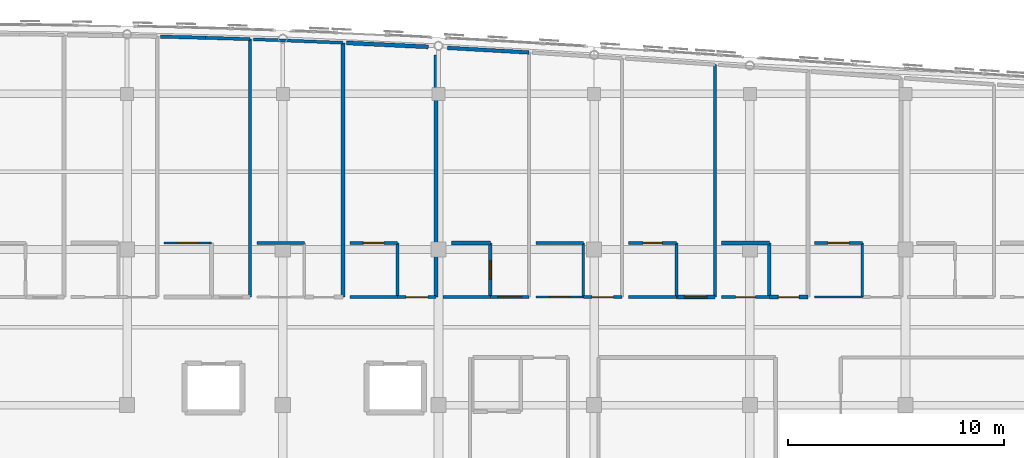
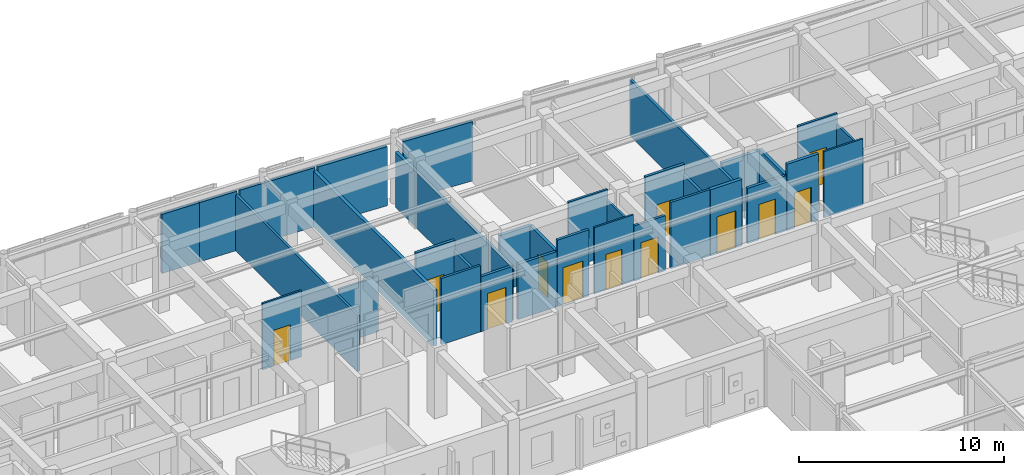
# One storey, part 96 of 113: 34 walls, 12 doors, 12 openings.
"""IFC4 building model written with IfcOpenShell, lengths in metres."""

from ifc_helpers import new_model, si_unit, direction, frame, frame_2d, origin, place, context, subcontext, project, spatial, rectangle, extrude, material, layer, layer_set, type_object, element, fill, save


model = new_model("IFC4")

# Units and contexts
model_context = context("Model", 3, precision=1e-05, world=origin(), true_north=direction((0.0, 1.0)))
body_context = subcontext(model_context, "Body", "Model", "MODEL_VIEW")
ifc_project = project(units=[si_unit("LENGTHUNIT", "METRE"), si_unit("AREAUNIT", "SQUARE_METRE"), si_unit("VOLUMEUNIT", "CUBIC_METRE"), si_unit("PLANEANGLEUNIT", "RADIAN"), si_unit("MASSUNIT", "GRAM", prefix="KILO")], contexts=[model_context])

# Site, building, storey
site_placement = place(None, origin())
site = spatial("IfcSite", under=ifc_project, at=site_placement, CompositionType="ELEMENT")
building_placement = place(site_placement, origin())
building = spatial("IfcBuilding", under=site, at=building_placement, Name="Carrowvane Square Congress Hotel", CompositionType="ELEMENT")
storey_placement = place(building_placement, frame((0.0, 0.0, 15.0)))
storey = spatial("IfcBuildingStorey", under=building, at=storey_placement, Name="L03", CompositionType="ELEMENT", Elevation=15.0)

# Wall
ifc_material_1 = material(Name="Acoustic gypsum board", Category="gypsum")
ifc_layer_1 = layer(ifc_material_1, 0.155029296875)
ifc_layer_set_1 = layer_set([ifc_layer_1], Name="Acoustic gypsum board")
wall_type_1 = type_object("IfcWallType", Name="WL-FIR-155", PredefinedType="PARTITIONING", material=ifc_layer_set_1)
wall_1_placement = place(storey_placement, frame((106.75, 116.044921875, 0.0), z_axis=(0.0, 0.0, 1.0), x_axis=(0.999657418847, -0.026173363249, 0.0)))
element("IfcWall", 1, at=wall_1_placement, inside=storey, type_object=wall_type_1, Name="L03 Parkview Guest Bedroom 0314 partition", PredefinedType="PARTITIONING", context=body_context, shape_type="SweptSolid", body=[
    extrude(rectangle(XDim=2.07080078125, YDim=0.155029296875, at=frame_2d((1.035400390625, 0.0))), origin(), (0.0, 0.0, 1.0), 3.515625),
])

# Wall, opening, door
wall_2_placement = place(storey_placement, frame((119.489990234375, 104.0, 0.0), z_axis=(0.0, 0.0, 1.0), x_axis=(-1.0, 0.0, 0.0)))
wall_2 = element("IfcWall", 2, at=wall_2_placement, inside=storey, type_object=wall_type_1, Name="L03 Parkview Guest Bedroom 0316 partition", PredefinedType="PARTITIONING", context=body_context, shape_type="SweptSolid", body=[
    extrude(rectangle(XDim=1.780029296875, YDim=0.155029296875, at=frame_2d((0.89013671875, 0.0))), origin(), (0.0, 0.0, 1.0), 3.27490234375),
])
opening_1_placement = place(wall_2_placement, frame((0.3798828125, 0.0, 0.0)))
opening_1 = element("IfcOpeningElement", 3, at=opening_1_placement, cuts=wall_2, Name="Opening FD-08", PredefinedType="OPENING", context=body_context, shape_type="SweptSolid", body=[
    extrude(rectangle(XDim=1.02001953125, YDim=2.14990234375, at=frame_2d((0.510009765625, 1.074951171875))), frame((0.0, 0.08740234375, 0.0), z_axis=(0.0, -1.0, 0.0), x_axis=(1.0, 0.0, 0.0)), (0.0, 0.0, 1.0), 0.175048828125),
])
ifc_material_2 = material(Name="European oak timber", Category="wood")
door_type_1 = type_object("IfcDoorType", Name="DR-FD30-1020x2150", OperationType="NOTDEFINED", PredefinedType="DOOR", material=ifc_material_2)
door_1_placement = place(opening_1_placement, origin())
door_1 = element("IfcDoor", 4, at=door_1_placement, inside=storey, type_object=door_type_1, Name="L03 Parkview Guest Bedroom 0316 entrance door", OperationType="SINGLE_SWING_RIGHT", OverallHeight=2.14990234375, OverallWidth=1.02001953125, PredefinedType="DOOR", context=body_context, shape_type="SweptSolid", body=[
    extrude(rectangle(XDim=1.02001953125, YDim=2.14990234375, at=frame_2d((0.510009765625, 1.074951171875))), frame((0.0, 0.02490234375, 0.0), z_axis=(0.0, -1.0, 0.0), x_axis=(1.0, 0.0, 0.0)), (0.0, 0.0, 1.0), 0.050048828125),
])
fill(opening_1, door_1)

# Wall
wall_3_placement = place(storey_placement, frame((122.0, 104.0, 0.0), z_axis=(0.0, 0.0, 1.0), x_axis=(-1.0, 0.0, 0.0)))
element("IfcWall", 5, at=wall_3_placement, inside=storey, type_object=wall_type_1, Name="L03 En-suite Bathroom 0317 partition", PredefinedType="PARTITIONING", context=body_context, shape_type="SweptSolid", body=[
    extrude(rectangle(XDim=2.199951171875, YDim=0.155029296875, at=frame_2d((1.10009765625, 0.0))), origin(), (0.0, 0.0, 1.0), 3.27490234375),
])

# Wall, opening, door
wall_4_placement = place(storey_placement, frame((134.89990234375, 104.0, 0.0), z_axis=(0.0, 0.0, 1.0), x_axis=(-1.0, 0.0, 0.0)))
wall_4 = element("IfcWall", 6, at=wall_4_placement, inside=storey, type_object=wall_type_1, Name="L03 En-suite Bathroom 0320 partition", PredefinedType="PARTITIONING", context=body_context, shape_type="SweptSolid", body=[
    extrude(rectangle(XDim=2.199951171875, YDim=0.155029296875, at=frame_2d((1.10009765625, 0.0))), origin(), (0.0, 0.0, 1.0), 3.27490234375),
])
opening_2_placement = place(wall_4_placement, frame((0.639892578125, 0.0, 0.0)))
opening_2 = element("IfcOpeningElement", 7, at=opening_2_placement, cuts=wall_4, Name="Opening ID-03", PredefinedType="OPENING", context=body_context, shape_type="SweptSolid", body=[
    extrude(rectangle(XDim=0.919921875, YDim=2.10009765625, at=frame_2d((0.4599609375, 1.050048828125))), frame((0.0, 0.08740234375, 0.0), z_axis=(0.0, -1.0, 0.0), x_axis=(1.0, 0.0, 0.0)), (0.0, 0.0, 1.0), 0.175048828125),
])
ifc_material_3 = material(Name="European oak timber", Category="wood")
door_type_2 = type_object("IfcDoorType", Name="DR-INT-0920x2100", OperationType="NOTDEFINED", PredefinedType="DOOR", material=ifc_material_3)
door_2_placement = place(opening_2_placement, origin())
door_2 = element("IfcDoor", 8, at=door_2_placement, inside=storey, type_object=door_type_2, Name="L03 En-suite Bathroom 0320 door", OperationType="SINGLE_SWING_LEFT", OverallHeight=2.10009765625, OverallWidth=0.919921875, PredefinedType="DOOR", context=body_context, shape_type="SweptSolid", body=[
    extrude(rectangle(XDim=0.919921875, YDim=2.10009765625, at=frame_2d((0.4599609375, 1.050048828125))), frame((0.0, 0.02490234375, 0.0), z_axis=(0.0, -1.0, 0.0), x_axis=(1.0, 0.0, 0.0)), (0.0, 0.0, 1.0), 0.050048828125),
])
fill(opening_2, door_2)

# Wall
ifc_material_4 = material(Name="Acoustic gypsum board", Category="gypsum")
ifc_layer_2 = layer(ifc_material_4, 0.169921875)
ifc_layer_set_2 = layer_set([ifc_layer_2], Name="Acoustic gypsum board")
wall_type_2 = type_object("IfcWallType", Name="WL-FIR-170", PredefinedType="PARTITIONING", material=ifc_layer_set_2)
wall_5_placement = place(storey_placement, frame((119.489990234375, 115.193115234375, 0.0), z_axis=(0.0, 0.0, 1.0), x_axis=(0.0, -1.0, 0.0)))
element("IfcWall", 9, at=wall_5_placement, inside=storey, type_object=wall_type_2, Name="L03 Parkview Guest Bedroom 0316 partition", PredefinedType="PARTITIONING", context=body_context, shape_type="SweptSolid", body=[
    extrude(rectangle(XDim=11.193115234375, YDim=0.169921875, at=frame_2d((5.5966796875, 0.0))), origin(), (0.0, 0.0, 1.0), 3.27490234375),
])

# Wall, opening, door
wall_6_placement = place(storey_placement, frame((122.0, 106.5, 0.0), z_axis=(0.0, 0.0, 1.0), x_axis=(0.0, -1.0, 0.0)))
wall_6 = element("IfcWall", 10, at=wall_6_placement, inside=storey, type_object=wall_type_2, Name="L03 En-suite Bathroom 0317 partition", PredefinedType="PARTITIONING", context=body_context, shape_type="SweptSolid", body=[
    extrude(rectangle(XDim=2.5, YDim=0.169921875, at=frame_2d((1.25, 0.0))), origin(), (0.0, 0.0, 1.0), 3.324951171875),
])
opening_3_placement = place(wall_6_placement, frame((0.81494140625, 0.0, 0.0)))
opening_3 = element("IfcOpeningElement", 11, at=opening_3_placement, cuts=wall_6, Name="Opening ID-15", PredefinedType="OPENING", context=body_context, shape_type="SweptSolid", body=[
    extrude(rectangle(XDim=0.8701171875, YDim=2.070068359375, at=frame_2d((0.43505859375, 1.03515625))), frame((0.0, 0.094970703125, 0.0), z_axis=(0.0, -1.0, 0.0), x_axis=(1.0, 0.0, 0.0)), (0.0, 0.0, 1.0), 0.18994140625),
])
ifc_material_5 = material(Name="European oak timber", Category="wood")
door_type_3 = type_object("IfcDoorType", Name="DR-INT-0870x2070", OperationType="NOTDEFINED", PredefinedType="DOOR", material=ifc_material_5)
door_3_placement = place(opening_3_placement, origin())
door_3 = element("IfcDoor", 12, at=door_3_placement, inside=storey, type_object=door_type_3, Name="L03 En-suite Bathroom 0317 door", OperationType="SINGLE_SWING_LEFT", OverallHeight=2.070068359375, OverallWidth=0.8701171875, PredefinedType="DOOR", context=body_context, shape_type="SweptSolid", body=[
    extrude(rectangle(XDim=0.8701171875, YDim=2.070068359375, at=frame_2d((0.43505859375, 1.03515625))), frame((0.0, 0.02490234375, 0.0), z_axis=(0.0, -1.0, 0.0), x_axis=(1.0, 0.0, 0.0)), (0.0, 0.0, 1.0), 0.050048828125),
])
fill(opening_3, door_3)

# Walls
wall_7_placement = place(storey_placement, frame((120.009521484375, 115.5244140625, 0.0), z_axis=(0.0, 0.0, 1.0), x_axis=(0.998400060611, -0.056544840372, 0.0)))
element("IfcWall", 13, at=wall_7_placement, inside=storey, type_object=wall_type_2, Name="L03 Parkview Guest Bedroom 0317 partition", PredefinedType="PARTITIONING", context=body_context, shape_type="SweptSolid", body=[
    extrude(rectangle(XDim=3.78662109375, YDim=0.169921875, at=frame_2d((1.893310546875, 0.0))), origin(), (0.0, 0.0, 1.0), 3.515625),
])
wall_8_placement = place(storey_placement, frame((134.89990234375, 106.5, 0.0), z_axis=(0.0, 0.0, 1.0), x_axis=(0.0, -1.0, 0.0)))
element("IfcWall", 14, at=wall_8_placement, inside=storey, type_object=wall_type_2, Name="L03 En-suite Bathroom 0320 partition", PredefinedType="PARTITIONING", context=body_context, shape_type="SweptSolid", body=[
    extrude(rectangle(XDim=2.5, YDim=0.169921875, at=frame_2d((1.25, 0.0))), origin(), (0.0, 0.0, 1.0), 3.324951171875),
])

# Wall, opening, door
wall_9_placement = place(storey_placement, frame((136.68994140625, 104.0, 0.0), z_axis=(0.0, 0.0, 1.0), x_axis=(-1.0, 0.0, 0.0)))
wall_9 = element("IfcWall", 15, at=wall_9_placement, inside=storey, type_object=wall_type_2, Name="L03 Parkview Guest Bedroom 0320 partition", PredefinedType="PARTITIONING", context=body_context, shape_type="SweptSolid", body=[
    extrude(rectangle(XDim=1.780029296875, YDim=0.169921875, at=frame_2d((0.89013671875, 0.0))), origin(), (0.0, 0.0, 1.0), 3.93994140625),
])
opening_4_placement = place(wall_9_placement, frame((0.4150390625, 0.0, 0.0)))
opening_4 = element("IfcOpeningElement", 16, at=opening_4_placement, cuts=wall_9, Name="Opening FD-06", PredefinedType="OPENING", context=body_context, shape_type="SweptSolid", body=[
    extrude(rectangle(XDim=0.949951171875, YDim=2.10009765625, at=frame_2d((0.47509765625, 1.050048828125))), frame((0.0, 0.094970703125, 0.0), z_axis=(0.0, -1.0, 0.0), x_axis=(1.0, 0.0, 0.0)), (0.0, 0.0, 1.0), 0.18994140625),
])
ifc_material_6 = material(Name="European oak timber", Category="wood")
door_type_4 = type_object("IfcDoorType", Name="DR-FD30-0950x2100", OperationType="NOTDEFINED", PredefinedType="DOOR", material=ifc_material_6)
door_4_placement = place(opening_4_placement, origin())
door_4 = element("IfcDoor", 17, at=door_4_placement, inside=storey, type_object=door_type_4, Name="L03 Parkview Guest Bedroom 0320 entrance door", OperationType="SINGLE_SWING_RIGHT", OverallHeight=2.10009765625, OverallWidth=0.949951171875, PredefinedType="DOOR", context=body_context, shape_type="SweptSolid", body=[
    extrude(rectangle(XDim=0.949951171875, YDim=2.10009765625, at=frame_2d((0.47509765625, 1.050048828125))), frame((0.0, 0.02490234375, 0.0), z_axis=(0.0, -1.0, 0.0), x_axis=(1.0, 0.0, 0.0)), (0.0, 0.0, 1.0), 0.050048828125),
])
fill(opening_4, door_4)

# Walls
ifc_material_7 = material(Name="Acoustic gypsum board", Category="gypsum")
ifc_layer_3 = layer(ifc_material_7, 0.18505859375)
ifc_layer_set_3 = layer_set([ifc_layer_3], Name="Acoustic gypsum board")
wall_type_3 = type_object("IfcWallType", Name="WL-FIR-185", PredefinedType="PARTITIONING", material=ifc_layer_set_3)
wall_10_placement = place(storey_placement, frame((115.18994140625, 115.759765625, 0.0), z_axis=(0.0, 0.0, 1.0), x_axis=(0.0, -1.0, 0.0)))
element("IfcWall", 18, at=wall_10_placement, inside=storey, type_object=wall_type_3, Name="L03 Parkview Guest Bedroom 0315 partition", PredefinedType="PARTITIONING", context=body_context, shape_type="SweptSolid", body=[
    extrude(rectangle(XDim=11.759765625, YDim=0.18505859375, at=frame_2d((5.8798828125, 0.0))), origin(), (0.0, 0.0, 1.0), 3.324951171875),
])
wall_11_placement = place(storey_placement, frame((115.35009765625, 115.752685546875, 0.0), z_axis=(0.0, 0.0, 1.0), x_axis=(0.99884141987, -0.048122946217, 0.0)))
element("IfcWall", 19, at=wall_11_placement, inside=storey, type_object=wall_type_3, Name="L03 Parkview Guest Bedroom 0316 partition", PredefinedType="PARTITIONING", context=body_context, shape_type="SweptSolid", body=[
    extrude(rectangle(XDim=3.78466796875, YDim=0.18505859375, at=frame_2d((1.892333984375, 0.0))), origin(), (0.0, 0.0, 1.0), 3.515625),
])
wall_12_placement = place(storey_placement, frame((120.2099609375, 106.5, 0.0), z_axis=(0.0, 0.0, 1.0), x_axis=(1.0, 0.0, 0.0)))
element("IfcWall", 20, at=wall_12_placement, inside=storey, type_object=wall_type_3, Name="L03 En-suite Bathroom 0317 partition", PredefinedType="PARTITIONING", context=body_context, shape_type="SweptSolid", body=[
    extrude(rectangle(XDim=1.7900390625, YDim=0.18505859375, at=frame_2d((0.89501953125, 0.0))), origin(), (0.0, 0.0, 1.0), 3.324951171875),
])

# Wall, opening, door
wall_13_placement = place(storey_placement, frame((132.389892578125, 104.0, 0.0), z_axis=(0.0, 0.0, 1.0), x_axis=(-1.0, 0.0, 0.0)))
wall_13 = element("IfcWall", 21, at=wall_13_placement, inside=storey, type_object=wall_type_3, Name="L03 Parkview Guest Bedroom 0319 partition", PredefinedType="PARTITIONING", context=body_context, shape_type="SweptSolid", body=[
    extrude(rectangle(XDim=1.77978515625, YDim=0.18505859375, at=frame_2d((0.889892578125, 0.0))), origin(), (0.0, 0.0, 1.0), 3.93994140625),
])
opening_5_placement = place(wall_13_placement, frame((0.360107421875, 0.0, 0.0)))
opening_5 = element("IfcOpeningElement", 22, at=opening_5_placement, cuts=wall_13, Name="Opening FD-09", PredefinedType="OPENING", context=body_context, shape_type="SweptSolid", body=[
    extrude(rectangle(XDim=1.06005859375, YDim=2.199951171875, at=frame_2d((0.530029296875, 1.10009765625))), frame((0.0, 0.1025390625, 0.0), z_axis=(0.0, -1.0, 0.0), x_axis=(1.0, 0.0, 0.0)), (0.0, 0.0, 1.0), 0.205078125),
])
ifc_material_8 = material(Name="European oak timber", Category="wood")
door_type_5 = type_object("IfcDoorType", Name="DR-FD30-1060x2200", OperationType="NOTDEFINED", PredefinedType="DOOR", material=ifc_material_8)
door_5_placement = place(opening_5_placement, origin())
door_5 = element("IfcDoor", 23, at=door_5_placement, inside=storey, type_object=door_type_5, Name="L03 Parkview Guest Bedroom 0319 entrance door", OperationType="SINGLE_SWING_RIGHT", OverallHeight=2.199951171875, OverallWidth=1.06005859375, PredefinedType="DOOR", context=body_context, shape_type="SweptSolid", body=[
    extrude(rectangle(XDim=1.06005859375, YDim=2.199951171875, at=frame_2d((0.530029296875, 1.10009765625))), frame((0.0, 0.02490234375, 0.0), z_axis=(0.0, -1.0, 0.0), x_axis=(1.0, 0.0, 0.0)), (0.0, 0.0, 1.0), 0.050048828125),
])
fill(opening_5, door_5)

# Wall
wall_14_placement = place(storey_placement, frame((132.699951171875, 106.5, 0.0), z_axis=(0.0, 0.0, 1.0), x_axis=(1.0, 0.0, 0.0)))
element("IfcWall", 24, at=wall_14_placement, inside=storey, type_object=wall_type_3, Name="L03 En-suite Bathroom 0320 partition", PredefinedType="PARTITIONING", context=body_context, shape_type="SweptSolid", body=[
    extrude(rectangle(XDim=2.199951171875, YDim=0.18505859375, at=frame_2d((1.10009765625, 0.0))), origin(), (0.0, 0.0, 1.0), 3.27490234375),
])

# Wall, opening, door
ifc_material_9 = material(Name="Acoustic gypsum board", Category="gypsum")
ifc_layer_4 = layer(ifc_material_9, 0.097900390625)
ifc_layer_set_4 = layer_set([ifc_layer_4], Name="Acoustic gypsum board")
wall_type_4 = type_object("IfcWallType", Name="WL-PRT-098", PredefinedType="PARTITIONING", material=ifc_layer_set_4)
wall_15_placement = place(storey_placement, frame((106.89990234375, 106.5, 0.0), z_axis=(0.0, 0.0, 1.0), x_axis=(1.0, 0.0, 0.0)))
wall_15 = element("IfcWall", 25, at=wall_15_placement, inside=storey, type_object=wall_type_4, Name="L03 En-suite Bathroom 0314 partition", PredefinedType="PARTITIONING", context=body_context, shape_type="SweptSolid", body=[
    extrude(rectangle(XDim=2.2001953125, YDim=0.097900390625, at=frame_2d((1.10009765625, 0.0))), origin(), (0.0, 0.0, 1.0), 3.93994140625),
])
opening_6_placement = place(wall_15_placement, frame((0.635009765625, 0.0, 0.0)))
opening_6 = element("IfcOpeningElement", 26, at=opening_6_placement, cuts=wall_15, Name="Opening ID-18", PredefinedType="OPENING", context=body_context, shape_type="SweptSolid", body=[
    extrude(rectangle(XDim=0.929931640625, YDim=2.1298828125, at=frame_2d((0.46484375, 1.06494140625))), frame((0.0, 0.058837890625, 0.0), z_axis=(0.0, -1.0, 0.0), x_axis=(1.0, 0.0, 0.0)), (0.0, 0.0, 1.0), 0.117919921875),
])
ifc_material_10 = material(Name="European oak timber", Category="wood")
door_type_6 = type_object("IfcDoorType", Name="DR-INT-0930x2130", OperationType="NOTDEFINED", PredefinedType="DOOR", material=ifc_material_10)
door_6_placement = place(opening_6_placement, origin())
door_6 = element("IfcDoor", 27, at=door_6_placement, inside=storey, type_object=door_type_6, Name="L03 En-suite Bathroom 0314 door", OperationType="SINGLE_SWING_LEFT", OverallHeight=2.1298828125, OverallWidth=0.929931640625, PredefinedType="DOOR", context=body_context, shape_type="SweptSolid", body=[
    extrude(rectangle(XDim=0.929931640625, YDim=2.1298828125, at=frame_2d((0.46484375, 1.06494140625))), frame((0.0, 0.02490234375, 0.0), z_axis=(0.0, -1.0, 0.0), x_axis=(1.0, 0.0, 0.0)), (0.0, 0.0, 1.0), 0.050048828125),
])
fill(opening_6, door_6)

wall_16_placement = place(storey_placement, frame((126.300048828125, 104.0, 0.0), z_axis=(0.0, 0.0, 1.0), x_axis=(-1.0, 0.0, 0.0)))
wall_16 = element("IfcWall", 28, at=wall_16_placement, inside=storey, type_object=wall_type_4, Name="L03 En-suite Bathroom 0318 partition", PredefinedType="PARTITIONING", context=body_context, shape_type="SweptSolid", body=[
    extrude(rectangle(XDim=2.199951171875, YDim=0.097900390625, at=frame_2d((1.10009765625, 0.0))), origin(), (0.0, 0.0, 1.0), 3.93994140625),
])
opening_7_placement = place(wall_16_placement, frame((0.64501953125, 0.0, 0.0)))
opening_7 = element("IfcOpeningElement", 29, at=opening_7_placement, cuts=wall_16, Name="Opening ID-17", PredefinedType="OPENING", context=body_context, shape_type="SweptSolid", body=[
    extrude(rectangle(XDim=0.909912109375, YDim=2.110107421875, at=frame_2d((0.455078125, 1.05517578125))), frame((0.0, 0.058837890625, 0.0), z_axis=(0.0, -1.0, 0.0), x_axis=(1.0, 0.0, 0.0)), (0.0, 0.0, 1.0), 0.117919921875),
])
ifc_material_11 = material(Name="European oak timber", Category="wood")
door_type_7 = type_object("IfcDoorType", Name="DR-INT-0910x2110", OperationType="NOTDEFINED", PredefinedType="DOOR", material=ifc_material_11)
door_7_placement = place(opening_7_placement, origin())
door_7 = element("IfcDoor", 30, at=door_7_placement, inside=storey, type_object=door_type_7, Name="L03 En-suite Bathroom 0318 door", OperationType="SINGLE_SWING_LEFT", OverallHeight=2.110107421875, OverallWidth=0.909912109375, PredefinedType="DOOR", context=body_context, shape_type="SweptSolid", body=[
    extrude(rectangle(XDim=0.909912109375, YDim=2.110107421875, at=frame_2d((0.455078125, 1.05517578125))), frame((0.0, 0.02490234375, 0.0), z_axis=(0.0, -1.0, 0.0), x_axis=(1.0, 0.0, 0.0)), (0.0, 0.0, 1.0), 0.050048828125),
])
fill(opening_7, door_7)

# Walls
wall_17_placement = place(storey_placement, frame((139.199951171875, 104.0, 0.0), z_axis=(0.0, 0.0, 1.0), x_axis=(-1.0, 0.0, 0.0)))
element("IfcWall", 31, at=wall_17_placement, inside=storey, type_object=wall_type_4, Name="L03 En-suite Bathroom 0321 partition", PredefinedType="PARTITIONING", context=body_context, shape_type="SweptSolid", body=[
    extrude(rectangle(XDim=2.199951171875, YDim=0.097900390625, at=frame_2d((1.10009765625, 0.0))), origin(), (0.0, 0.0, 1.0), 3.93994140625),
])
ifc_material_12 = material(Name="Acoustic gypsum board", Category="gypsum")
ifc_layer_5 = layer(ifc_material_12, 0.10791015625)
ifc_layer_set_5 = layer_set([ifc_layer_5], Name="Acoustic gypsum board")
wall_type_5 = type_object("IfcWallType", Name="WL-PRT-108", PredefinedType="PARTITIONING", material=ifc_layer_set_5)
for number, where, z_axis, x_axis, name in (
    (32, (126.300048828125, 106.5, 0.0), (0.0, 0.0, 1.0), (0.0, -1.0, 0.0), "L03 En-suite Bathroom 0318 partition"),
    (33, (139.199951171875, 106.5, 0.0), (0.0, 0.0, 1.0), (0.0, -1.0, 0.0), "L03 En-suite Bathroom 0321 partition"),
):
    element("IfcWall", number, at=place(storey_placement, frame(where, z_axis=z_axis, x_axis=x_axis)), inside=storey, type_object=wall_type_5, Name=name, PredefinedType="PARTITIONING", context=body_context, shape_type="SweptSolid", body=[
        extrude(rectangle(XDim=2.5, YDim=0.10791015625, at=frame_2d((1.25, 0.0))), origin(), (0.0, 0.0, 1.0), 3.324951171875),
    ])
ifc_material_13 = material(Name="Acoustic gypsum board", Category="gypsum")
ifc_layer_6 = layer(ifc_material_13, 0.117919921875)
ifc_layer_set_6 = layer_set([ifc_layer_6], Name="Acoustic gypsum board")
wall_type_6 = type_object("IfcWallType", Name="WL-PRT-118", PredefinedType="PARTITIONING", material=ifc_layer_set_6)
wall_18_placement = place(storey_placement, frame((111.199951171875, 106.5, 0.0), z_axis=(0.0, 0.0, 1.0), x_axis=(1.0, 0.0, 0.0)))
element("IfcWall", 34, at=wall_18_placement, inside=storey, type_object=wall_type_6, Name="L03 En-suite Bathroom 0315 partition", PredefinedType="PARTITIONING", context=body_context, shape_type="SweptSolid", body=[
    extrude(rectangle(XDim=2.199951171875, YDim=0.117919921875, at=frame_2d((1.10009765625, 0.0))), origin(), (0.0, 0.0, 1.0), 3.27490234375),
])
wall_19_placement = place(storey_placement, frame((124.10009765625, 106.5, 0.0), z_axis=(0.0, 0.0, 1.0), x_axis=(1.0, 0.0, 0.0)))
element("IfcWall", 35, at=wall_19_placement, inside=storey, type_object=wall_type_6, Name="L03 En-suite Bathroom 0318 partition", PredefinedType="PARTITIONING", context=body_context, shape_type="SweptSolid", body=[
    extrude(rectangle(XDim=2.199951171875, YDim=0.117919921875, at=frame_2d((1.10009765625, 0.0))), origin(), (0.0, 0.0, 1.0), 3.93994140625),
])

# Wall, opening, door
wall_20_placement = place(storey_placement, frame((137.0, 106.5, 0.0), z_axis=(0.0, 0.0, 1.0), x_axis=(1.0, 0.0, 0.0)))
wall_20 = element("IfcWall", 36, at=wall_20_placement, inside=storey, type_object=wall_type_6, Name="L03 En-suite Bathroom 0321 partition", PredefinedType="PARTITIONING", context=body_context, shape_type="SweptSolid", body=[
    extrude(rectangle(XDim=2.199951171875, YDim=0.117919921875, at=frame_2d((1.10009765625, 0.0))), origin(), (0.0, 0.0, 1.0), 3.93994140625),
])
opening_8_placement = place(wall_20_placement, frame((0.6201171875, 0.0, 0.0)))
opening_8 = element("IfcOpeningElement", 37, at=opening_8_placement, cuts=wall_20, Name="Opening ID-05", PredefinedType="OPENING", context=body_context, shape_type="SweptSolid", body=[
    extrude(rectangle(XDim=0.9599609375, YDim=2.139892578125, at=frame_2d((0.47998046875, 1.06982421875))), frame((0.0, 0.06884765625, 0.0), z_axis=(0.0, -1.0, 0.0), x_axis=(1.0, 0.0, 0.0)), (0.0, 0.0, 1.0), 0.137939453125),
])
ifc_material_14 = material(Name="European oak timber", Category="wood")
door_type_8 = type_object("IfcDoorType", Name="DR-INT-0960x2140", OperationType="NOTDEFINED", PredefinedType="DOOR", material=ifc_material_14)
door_8_placement = place(opening_8_placement, origin())
door_8 = element("IfcDoor", 38, at=door_8_placement, inside=storey, type_object=door_type_8, Name="L03 En-suite Bathroom 0321 door", OperationType="SINGLE_SWING_LEFT", OverallHeight=2.139892578125, OverallWidth=0.9599609375, PredefinedType="DOOR", context=body_context, shape_type="SweptSolid", body=[
    extrude(rectangle(XDim=0.9599609375, YDim=2.139892578125, at=frame_2d((0.47998046875, 1.06982421875))), frame((0.0, 0.02490234375, 0.0), z_axis=(0.0, -1.0, 0.0), x_axis=(1.0, 0.0, 0.0)), (0.0, 0.0, 1.0), 0.050048828125),
])
fill(opening_8, door_8)

# Walls
ifc_material_15 = material(Name="Acoustic gypsum board", Category="gypsum")
ifc_layer_7 = layer(ifc_material_15, 0.1279296875)
ifc_layer_set_7 = layer_set([ifc_layer_7], Name="Acoustic gypsum board")
wall_type_7 = type_object("IfcWallType", Name="WL-PRT-128", PredefinedType="PARTITIONING", material=ifc_layer_set_7)
wall_21_placement = place(storey_placement, frame((117.699951171875, 104.0, 0.0), z_axis=(0.0, 0.0, 1.0), x_axis=(-1.0, 0.0, 0.0)))
element("IfcWall", 39, at=wall_21_placement, inside=storey, type_object=wall_type_7, Name="L03 En-suite Bathroom 0316 partition", PredefinedType="PARTITIONING", context=body_context, shape_type="SweptSolid", body=[
    extrude(rectangle(XDim=2.199951171875, YDim=0.1279296875, at=frame_2d((1.10009765625, 0.0))), origin(), (0.0, 0.0, 1.0), 3.93994140625),
])
wall_22_placement = place(storey_placement, frame((130.60009765625, 104.0, 0.0), z_axis=(0.0, 0.0, 1.0), x_axis=(-1.0, 0.0, 0.0)))
element("IfcWall", 40, at=wall_22_placement, inside=storey, type_object=wall_type_7, Name="L03 En-suite Bathroom 0319 partition", PredefinedType="PARTITIONING", context=body_context, shape_type="SweptSolid", body=[
    extrude(rectangle(XDim=2.2001953125, YDim=0.1279296875, at=frame_2d((1.10009765625, 0.0))), origin(), (0.0, 0.0, 1.0), 3.93994140625),
])
ifc_material_16 = material(Name="Acoustic gypsum board", Category="gypsum")
ifc_layer_8 = layer(ifc_material_16, 0.137939453125)
ifc_layer_set_8 = layer_set([ifc_layer_8], Name="Acoustic gypsum board")
wall_type_8 = type_object("IfcWallType", Name="WL-PRT-138", PredefinedType="PARTITIONING", material=ifc_layer_set_8)
wall_23_placement = place(storey_placement, frame((110.889892578125, 115.92626953125, 0.0), z_axis=(0.0, 0.0, 1.0), x_axis=(0.0, -1.0, 0.0)))
element("IfcWall", 41, at=wall_23_placement, inside=storey, type_object=wall_type_8, Name="L03 Parkview Guest Bedroom 0314 partition", PredefinedType="PARTITIONING", context=body_context, shape_type="SweptSolid", body=[
    extrude(rectangle(XDim=11.92626953125, YDim=0.137939453125, at=frame_2d((5.963134765625, 0.0))), origin(), (0.0, 0.0, 1.0), 3.324951171875),
])
wall_24_placement = place(storey_placement, frame((111.050048828125, 115.920654296875, 0.0), z_axis=(0.0, 0.0, 1.0), x_axis=(0.999245687705, -0.038833691584, 0.0)))
element("IfcWall", 42, at=wall_24_placement, inside=storey, type_object=wall_type_8, Name="L03 Parkview Guest Bedroom 0315 partition", PredefinedType="PARTITIONING", context=body_context, shape_type="SweptSolid", body=[
    extrude(rectangle(XDim=4.14306640625, YDim=0.137939453125, at=frame_2d((2.071533203125, 0.0))), origin(), (0.0, 0.0, 1.0), 3.515625),
])
wall_25_placement = place(storey_placement, frame((117.699951171875, 106.5, 0.0), z_axis=(0.0, 0.0, 1.0), x_axis=(0.0, -1.0, 0.0)))
element("IfcWall", 43, at=wall_25_placement, inside=storey, type_object=wall_type_8, Name="L03 En-suite Bathroom 0316 partition", PredefinedType="PARTITIONING", context=body_context, shape_type="SweptSolid", body=[
    extrude(rectangle(XDim=2.5, YDim=0.137939453125, at=frame_2d((1.25, 0.0))), origin(), (0.0, 0.0, 1.0), 3.324951171875),
])

# Wall, opening, door
wall_26_placement = place(storey_placement, frame((128.090087890625, 104.0, 0.0), z_axis=(0.0, 0.0, 1.0), x_axis=(-1.0, 0.0, 0.0)))
wall_26 = element("IfcWall", 44, at=wall_26_placement, inside=storey, type_object=wall_type_8, Name="L03 Parkview Guest Bedroom 0318 partition", PredefinedType="PARTITIONING", context=body_context, shape_type="SweptSolid", body=[
    extrude(rectangle(XDim=1.780029296875, YDim=0.137939453125, at=frame_2d((0.89013671875, 0.0))), origin(), (0.0, 0.0, 1.0), 3.27490234375),
])
opening_9_placement = place(wall_26_placement, frame((0.39990234375, 0.0, 0.0)))
opening_9 = element("IfcOpeningElement", 45, at=opening_9_placement, cuts=wall_26, Name="Opening FD-07", PredefinedType="OPENING", context=body_context, shape_type="SweptSolid", body=[
    extrude(rectangle(XDim=0.97998046875, YDim=2.14990234375, at=frame_2d((0.489990234375, 1.074951171875))), frame((0.0, 0.078857421875, 0.0), z_axis=(0.0, -1.0, 0.0), x_axis=(1.0, 0.0, 0.0)), (0.0, 0.0, 1.0), 0.157958984375),
])
ifc_material_17 = material(Name="European oak timber", Category="wood")
door_type_9 = type_object("IfcDoorType", Name="DR-FD30-0980x2150", OperationType="NOTDEFINED", PredefinedType="DOOR", material=ifc_material_17)
door_9_placement = place(opening_9_placement, origin())
door_9 = element("IfcDoor", 46, at=door_9_placement, inside=storey, type_object=door_type_9, Name="L03 Parkview Guest Bedroom 0318 entrance door", OperationType="SINGLE_SWING_RIGHT", OverallHeight=2.14990234375, OverallWidth=0.97998046875, PredefinedType="DOOR", context=body_context, shape_type="SweptSolid", body=[
    extrude(rectangle(XDim=0.97998046875, YDim=2.14990234375, at=frame_2d((0.489990234375, 1.074951171875))), frame((0.0, 0.02490234375, 0.0), z_axis=(0.0, -1.0, 0.0), x_axis=(1.0, 0.0, 0.0)), (0.0, 0.0, 1.0), 0.050048828125),
])
fill(opening_9, door_9)

# Walls
wall_27_placement = place(storey_placement, frame((130.60009765625, 106.5, 0.0), z_axis=(0.0, 0.0, 1.0), x_axis=(0.0, -1.0, 0.0)))
element("IfcWall", 47, at=wall_27_placement, inside=storey, type_object=wall_type_8, Name="L03 En-suite Bathroom 0319 partition", PredefinedType="PARTITIONING", context=body_context, shape_type="SweptSolid", body=[
    extrude(rectangle(XDim=2.5, YDim=0.137939453125, at=frame_2d((1.25, 0.0))), origin(), (0.0, 0.0, 1.0), 3.324951171875),
])
wall_28_placement = place(storey_placement, frame((132.389892578125, 114.74853515625, 0.0), z_axis=(0.0, 0.0, 1.0), x_axis=(0.0, -1.0, 0.0)))
element("IfcWall", 48, at=wall_28_placement, inside=storey, type_object=wall_type_8, Name="L03 Parkview Guest Bedroom 0319 partition", PredefinedType="PARTITIONING", context=body_context, shape_type="SweptSolid", body=[
    extrude(rectangle(XDim=10.74853515625, YDim=0.137939453125, at=frame_2d((5.374267578125, 0.0))), origin(), (0.0, 0.0, 1.0), 3.324951171875),
])
ifc_material_18 = material(Name="Acoustic gypsum board", Category="gypsum")
ifc_layer_9 = layer(ifc_material_18, 0.14794921875)
ifc_layer_set_9 = layer_set([ifc_layer_9], Name="Acoustic gypsum board")
wall_type_9 = type_object("IfcWallType", Name="WL-PRT-148", PredefinedType="PARTITIONING", material=ifc_layer_set_9)
wall_29_placement = place(storey_placement, frame((108.820068359375, 115.99072265625, 0.0), z_axis=(0.0, 0.0, 1.0), x_axis=(0.999515520579, -0.031124333266, 0.0)))
element("IfcWall", 49, at=wall_29_placement, inside=storey, type_object=wall_type_9, Name="L03 Parkview Guest Bedroom 0314 partition", PredefinedType="PARTITIONING", context=body_context, shape_type="SweptSolid", body=[
    extrude(rectangle(XDim=2.07080078125, YDim=0.14794921875, at=frame_2d((1.035400390625, 0.0))), origin(), (0.0, 0.0, 1.0), 3.515625),
])

# Wall, opening, door
wall_30_placement = place(storey_placement, frame((115.5, 106.5, 0.0), z_axis=(0.0, 0.0, 1.0), x_axis=(1.0, 0.0, 0.0)))
wall_30 = element("IfcWall", 50, at=wall_30_placement, inside=storey, type_object=wall_type_9, Name="L03 En-suite Bathroom 0316 partition", PredefinedType="PARTITIONING", context=body_context, shape_type="SweptSolid", body=[
    extrude(rectangle(XDim=2.199951171875, YDim=0.14794921875, at=frame_2d((1.10009765625, 0.0))), origin(), (0.0, 0.0, 1.0), 3.93994140625),
])
opening_10_placement = place(wall_30_placement, frame((0.6298828125, 0.0, 0.0)))
opening_10 = element("IfcOpeningElement", 51, at=opening_10_placement, cuts=wall_30, Name="Opening ID-04", PredefinedType="OPENING", context=body_context, shape_type="SweptSolid", body=[
    extrude(rectangle(XDim=0.93994140625, YDim=2.1201171875, at=frame_2d((0.469970703125, 1.06005859375))), frame((0.0, 0.083984375, 0.0), z_axis=(0.0, -1.0, 0.0), x_axis=(1.0, 0.0, 0.0)), (0.0, 0.0, 1.0), 0.16796875),
])
ifc_material_19 = material(Name="European oak timber", Category="wood")
door_type_10 = type_object("IfcDoorType", Name="DR-INT-0940x2120", OperationType="NOTDEFINED", PredefinedType="DOOR", material=ifc_material_19)
door_10_placement = place(opening_10_placement, origin())
door_10 = element("IfcDoor", 52, at=door_10_placement, inside=storey, type_object=door_type_10, Name="L03 En-suite Bathroom 0316 door", OperationType="SINGLE_SWING_LEFT", OverallHeight=2.1201171875, OverallWidth=0.93994140625, PredefinedType="DOOR", context=body_context, shape_type="SweptSolid", body=[
    extrude(rectangle(XDim=0.93994140625, YDim=2.1201171875, at=frame_2d((0.469970703125, 1.06005859375))), frame((0.0, 0.02490234375, 0.0), z_axis=(0.0, -1.0, 0.0), x_axis=(1.0, 0.0, 0.0)), (0.0, 0.0, 1.0), 0.050048828125),
])
fill(opening_10, door_10)

wall_31_placement = place(storey_placement, frame((123.7900390625, 104.0, 0.0), z_axis=(0.0, 0.0, 1.0), x_axis=(-1.0, 0.0, 0.0)))
wall_31 = element("IfcWall", 53, at=wall_31_placement, inside=storey, type_object=wall_type_9, Name="L03 Parkview Guest Bedroom 0317 partition", PredefinedType="PARTITIONING", context=body_context, shape_type="SweptSolid", body=[
    extrude(rectangle(XDim=1.780029296875, YDim=0.14794921875, at=frame_2d((0.89013671875, 0.0))), origin(), (0.0, 0.0, 1.0), 3.93994140625),
])
opening_11_placement = place(wall_31_placement, frame((0.330078125, 0.0, 0.0)))
opening_11 = element("IfcOpeningElement", 54, at=opening_11_placement, cuts=wall_31, Name="Opening FD-10", PredefinedType="OPENING", context=body_context, shape_type="SweptSolid", body=[
    extrude(rectangle(XDim=1.1201171875, YDim=2.199951171875, at=frame_2d((0.56005859375, 1.10009765625))), frame((0.0, 0.083984375, 0.0), z_axis=(0.0, -1.0, 0.0), x_axis=(1.0, 0.0, 0.0)), (0.0, 0.0, 1.0), 0.16796875),
])
ifc_material_20 = material(Name="European oak timber", Category="wood")
door_type_11 = type_object("IfcDoorType", Name="DR-FD30-1120x2200", OperationType="NOTDEFINED", PredefinedType="DOOR", material=ifc_material_20)
door_11_placement = place(opening_11_placement, origin())
door_11 = element("IfcDoor", 55, at=door_11_placement, inside=storey, type_object=door_type_11, Name="L03 Parkview Guest Bedroom 0317 entrance door", OperationType="SINGLE_SWING_RIGHT", OverallHeight=2.199951171875, OverallWidth=1.1201171875, PredefinedType="DOOR", context=body_context, shape_type="SweptSolid", body=[
    extrude(rectangle(XDim=1.1201171875, YDim=2.199951171875, at=frame_2d((0.56005859375, 1.10009765625))), frame((0.0, 0.02490234375, 0.0), z_axis=(0.0, -1.0, 0.0), x_axis=(1.0, 0.0, 0.0)), (0.0, 0.0, 1.0), 0.050048828125),
])
fill(opening_11, door_11)

wall_32_placement = place(storey_placement, frame((128.39990234375, 106.5, 0.0), z_axis=(0.0, 0.0, 1.0), x_axis=(1.0, 0.0, 0.0)))
wall_32 = element("IfcWall", 56, at=wall_32_placement, inside=storey, type_object=wall_type_9, Name="L03 En-suite Bathroom 0319 partition", PredefinedType="PARTITIONING", context=body_context, shape_type="SweptSolid", body=[
    extrude(rectangle(XDim=2.2001953125, YDim=0.14794921875, at=frame_2d((1.10009765625, 0.0))), origin(), (0.0, 0.0, 1.0), 3.93994140625),
])
opening_12_placement = place(wall_32_placement, frame((0.659912109375, 0.0, 0.0)))
opening_12 = element("IfcOpeningElement", 57, at=opening_12_placement, cuts=wall_32, Name="Opening ID-01", PredefinedType="OPENING", context=body_context, shape_type="SweptSolid", body=[
    extrude(rectangle(XDim=0.8798828125, YDim=2.06005859375, at=frame_2d((0.43994140625, 1.030029296875))), frame((0.0, 0.083984375, 0.0), z_axis=(0.0, -1.0, 0.0), x_axis=(1.0, 0.0, 0.0)), (0.0, 0.0, 1.0), 0.16796875),
])
ifc_material_21 = material(Name="European oak timber", Category="wood")
door_type_12 = type_object("IfcDoorType", Name="DR-INT-0880x2060", OperationType="NOTDEFINED", PredefinedType="DOOR", material=ifc_material_21)
door_12_placement = place(opening_12_placement, origin())
door_12 = element("IfcDoor", 58, at=door_12_placement, inside=storey, type_object=door_type_12, Name="L03 En-suite Bathroom 0319 door", OperationType="SINGLE_SWING_LEFT", OverallHeight=2.06005859375, OverallWidth=0.8798828125, PredefinedType="DOOR", context=body_context, shape_type="SweptSolid", body=[
    extrude(rectangle(XDim=0.8798828125, YDim=2.06005859375, at=frame_2d((0.43994140625, 1.030029296875))), frame((0.0, 0.02490234375, 0.0), z_axis=(0.0, -1.0, 0.0), x_axis=(1.0, 0.0, 0.0)), (0.0, 0.0, 1.0), 0.050048828125),
])
fill(opening_12, door_12)

save(model, "model.ifc")
